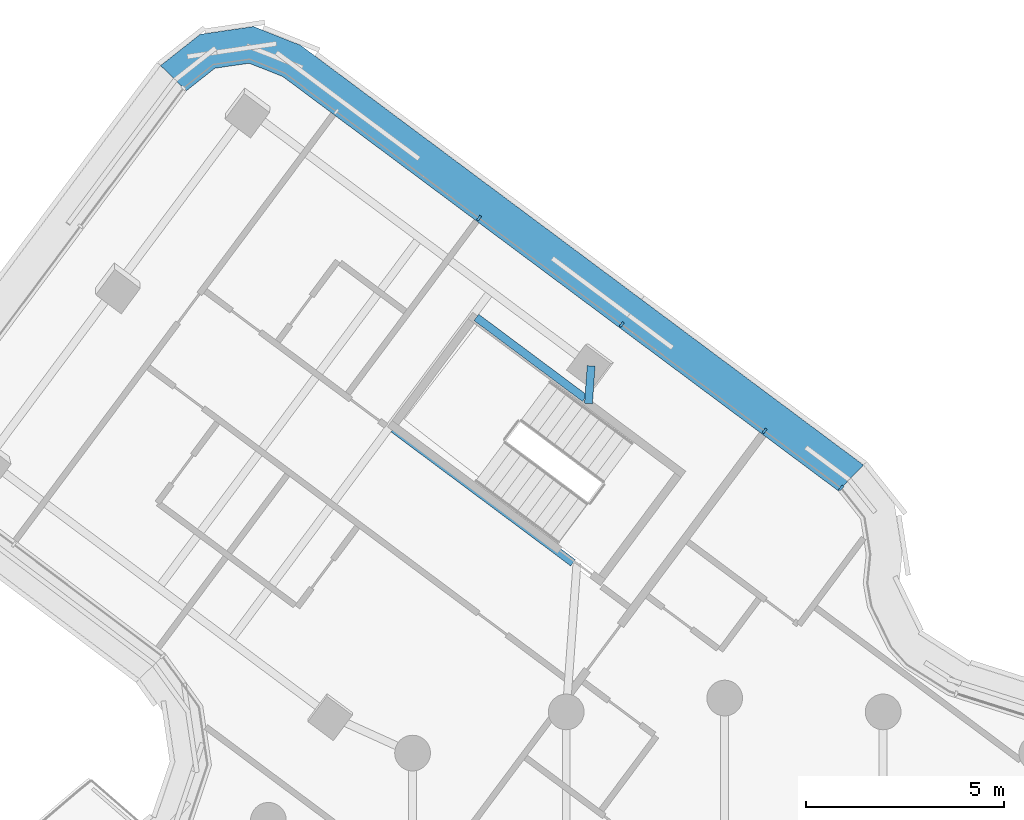
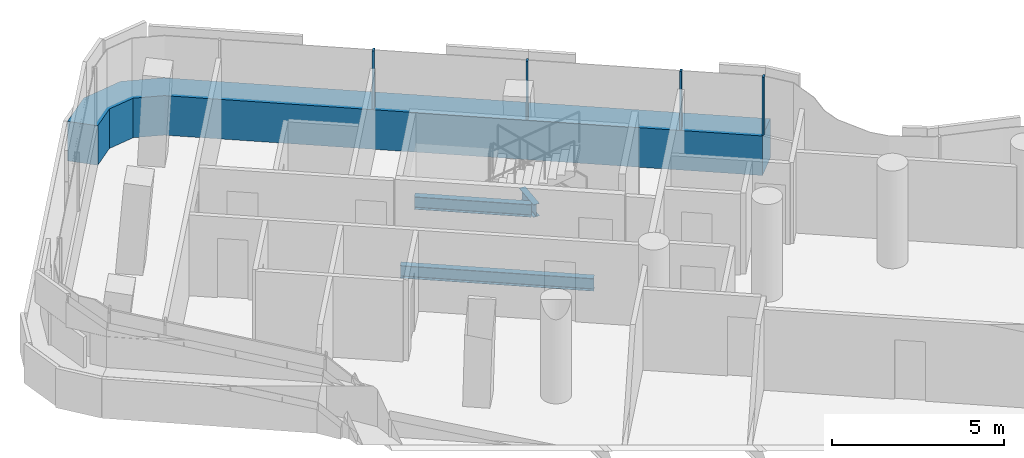
# One storey, part 14 of 27: 5 members, 3 beams, 1 element without a shape of its own.
"""IFC4 building model written with IfcOpenShell, lengths in metres."""

from ifc_helpers import new_model, si_unit, direction, frame, origin, origin_2d, place, context, subcontext, project, spatial, polyline, rectangle, i_section, outline, extrude, material, layer, layer_set, material_profile, profile_set, type_object, element, aggregate, save


model = new_model("IFC4")

# Units and contexts
model_context = context("Model", 3, precision=1e-05, world=origin(), true_north=direction((0.0, 1.0)))
body_context = subcontext(model_context, "Body", "Model", "MODEL_VIEW")
ifc_project = project(units=[si_unit("LENGTHUNIT", "METRE"), si_unit("AREAUNIT", "SQUARE_METRE"), si_unit("VOLUMEUNIT", "CUBIC_METRE"), si_unit("PLANEANGLEUNIT", "RADIAN"), si_unit("MASSUNIT", "GRAM", prefix="KILO")], contexts=[model_context])

# Site, building, storey
site_placement = place(None, origin())
site = spatial("IfcSite", under=ifc_project, at=site_placement, CompositionType="ELEMENT")
building_placement = place(site_placement, origin())
building = spatial("IfcBuilding", under=site, at=building_placement, Name="Tamarind Cross Interchange Tower", CompositionType="ELEMENT")
storey_placement = place(building_placement, frame((0.0, 0.0, 227.10009765625)))
storey = spatial("IfcBuildingStorey", under=building, at=storey_placement, Name="L57", CompositionType="ELEMENT", Elevation=227.10009765625)

# Beams
ifc_material_1 = material(Name="Steel Q355B", Category="steel")
ifc_material_profile_1 = material_profile(ifc_material_1, i_section(OverallWidth=0.198974609375, OverallDepth=0.446044921875, WebThickness=0.008056640625, FlangeThickness=0.011962890625, FilletRadius=0.012939453125, at=origin_2d()), Name="HN 446x199x8x12")
ifc_profile_set_1 = profile_set([ifc_material_profile_1], Name="Steel Q355B")
beam_type = type_object("IfcBeamType", Name="Composite beam HN 446x199x8x12 Q355B", PredefinedType="BEAM", material=ifc_profile_set_1)
beam_1_placement = place(storey_placement, frame((-3.365234375, 31.370849609375, -0.363037109375), z_axis=(-0.07199622923, -0.997404904227, 0.0), x_axis=(0.997404904227, -0.07199622923, 0.0)))
element("IfcBeam", 1, at=beam_1_placement, inside=storey, type_object=beam_type, Name="Beam N-linkemt0", PredefinedType="BEAM", context=body_context, shape_type="SweptSolid", body=[
    extrude(i_section(OverallWidth=0.198974609375, OverallDepth=0.446044921875, WebThickness=0.008056640625, FlangeThickness=0.011962890625, FilletRadius=0.012939453125, at=origin_2d()), origin(), (0.0, 0.0, 1.0), 0.949462890625),
])
beam_2_placement = place(storey_placement, frame((-3.52392578125, 30.5537109375, -0.363037109375), z_axis=(-0.801619919387, 0.597834011111, 0.0), x_axis=(-0.597834011111, -0.801619919387, 0.0)))
element("IfcBeam", 2, at=beam_2_placement, inside=storey, type_object=beam_type, Name="Beam N-tr0s1", PredefinedType="BEAM", context=body_context, shape_type="SweptSolid", body=[
    extrude(i_section(OverallWidth=0.198974609375, OverallDepth=0.446044921875, WebThickness=0.008056640625, FlangeThickness=0.011962890625, FilletRadius=0.012939453125, at=origin_2d()), origin(), (0.0, 0.0, 1.0), 3.411865234375),
])
beam_3_placement = place(storey_placement, frame((-3.82275390625, 26.41015625, -0.363037109375), z_axis=(-0.801604659349, 0.59785447235, 0.0), x_axis=(-0.59785447235, -0.801604659349, 0.0)))
element("IfcBeam", 3, at=beam_3_placement, inside=storey, type_object=beam_type, Name="Beam N-tr1s1", PredefinedType="BEAM", context=body_context, shape_type="SweptSolid", body=[
    extrude(i_section(OverallWidth=0.198974609375, OverallDepth=0.446044921875, WebThickness=0.008056640625, FlangeThickness=0.011962890625, FilletRadius=0.012939453125, at=origin_2d()), origin(), (0.0, 0.0, 1.0), 5.649658203125),
])

# Curtain wall, members
ifc_material_2 = material(Name="Aluminium 6063-T6", Category="aluminium")
ifc_layer = layer(ifc_material_2, 0.139892578125)
ifc_layer_set = layer_set([ifc_layer], Name="Aluminium 6063-T6")
curtain_wall_type = type_object("IfcCurtainWallType", Name="Hotel curtain wall, 4.5 m bays", PredefinedType="NOTDEFINED", material=ifc_layer_set)
curtain_wall_placement = place(storey_placement, origin())
curtain_wall = element("IfcCurtainWall", 4, at=curtain_wall_placement, inside=storey, type_object=curtain_wall_type, Name="CWS-L57-03", PredefinedType="NOTDEFINED")
ifc_material_3 = material(Name="Aluminium and insulated spandrel panel", Category="aluminium")
member_type_1 = type_object("IfcMemberType", Name="Floor-edge blade transom", PredefinedType="USERDEFINED", material=ifc_material_3)
member_1_placement = place(storey_placement, origin())
member_1 = element("IfcMember", 5, at=member_1_placement, type_object=member_type_1, Name="CWT-L57-03", ObjectType="TRANSOM", PredefinedType="USERDEFINED", context=body_context, shape_type="SweptSolid", body=[
    extrude(outline(polyline([(2.865234375, 28.22119140625), (-11.133056640625, 38.6611328125), (-11.983642578125, 38.999755859375), (-12.848876953125, 38.873779296875), (-13.5673828125, 38.306640625), (-14.218017578125, 38.939697265625), (-13.21728515625, 39.7294921875), (-11.87451171875, 39.925048828125), (-10.68994140625, 39.453369140625), (3.4970703125, 28.872802734375), (2.865234375, 28.22119140625)])), origin(), (0.0, 0.0, 1.0), 1.39990234375),
])
ifc_material_profile_2 = material_profile(ifc_material_2, rectangle(XDim=0.06005859375, YDim=0.139892578125, at=origin_2d()), Name="Mullion CW2")
ifc_profile_set_2 = profile_set([ifc_material_profile_2], Name="Aluminium 6063-T6")
member_type_2 = type_object("IfcMemberType", Name="Mullion CW2", PredefinedType="MULLION", material=ifc_profile_set_2)
member_2_placement = place(storey_placement, frame((2.935546875, 28.293701171875, 1.39990234375), z_axis=(0.0, 0.0, 1.0), x_axis=(-0.718034931414, 0.696007066968, 0.0)))
member_2 = element("IfcMember", 6, at=member_2_placement, type_object=member_type_2, Name="CWM-L57-03-00", PredefinedType="MULLION", context=body_context, shape_type="SweptSolid", body=[
    extrude(rectangle(XDim=0.06005859375, YDim=0.139892578125, at=origin_2d()), origin(), (0.0, 0.0, 1.0), 2.06005859375),
])
member_3_placement = place(storey_placement, frame((1.004150390625, 29.73388671875, 1.39990234375), z_axis=(0.0, 0.0, 1.0), x_axis=(-0.801617072029, 0.597837829041, 0.0)))
member_3 = element("IfcMember", 7, at=member_3_placement, type_object=member_type_2, Name="CWM-L57-03-01", PredefinedType="MULLION", context=body_context, shape_type="SweptSolid", body=[
    extrude(rectangle(XDim=0.06005859375, YDim=0.139892578125, at=origin_2d()), origin(), (0.0, 0.0, 1.0), 2.06005859375),
])
member_4_placement = place(storey_placement, frame((-2.592529296875, 32.416259765625, 1.39990234375), z_axis=(0.0, 0.0, 1.0), x_axis=(-0.801617072029, 0.597837829041, 0.0)))
member_4 = element("IfcMember", 8, at=member_4_placement, type_object=member_type_2, Name="CWM-L57-03-02", PredefinedType="MULLION", context=body_context, shape_type="SweptSolid", body=[
    extrude(rectangle(XDim=0.06005859375, YDim=0.139892578125, at=origin_2d()), origin(), (0.0, 0.0, 1.0), 2.06005859375),
])
member_5_placement = place(storey_placement, frame((-6.18896484375, 35.098388671875, 1.39990234375), z_axis=(0.0, 0.0, 1.0), x_axis=(-0.801617072029, 0.597837829041, 0.0)))
member_5 = element("IfcMember", 9, at=member_5_placement, type_object=member_type_2, Name="CWM-L57-03-03", PredefinedType="MULLION", context=body_context, shape_type="SweptSolid", body=[
    extrude(rectangle(XDim=0.06005859375, YDim=0.139892578125, at=origin_2d()), origin(), (0.0, 0.0, 1.0), 2.06005859375),
])
aggregate(curtain_wall, [member_2, member_3, member_4, member_5, member_1])

save(model, "model.ifc")
